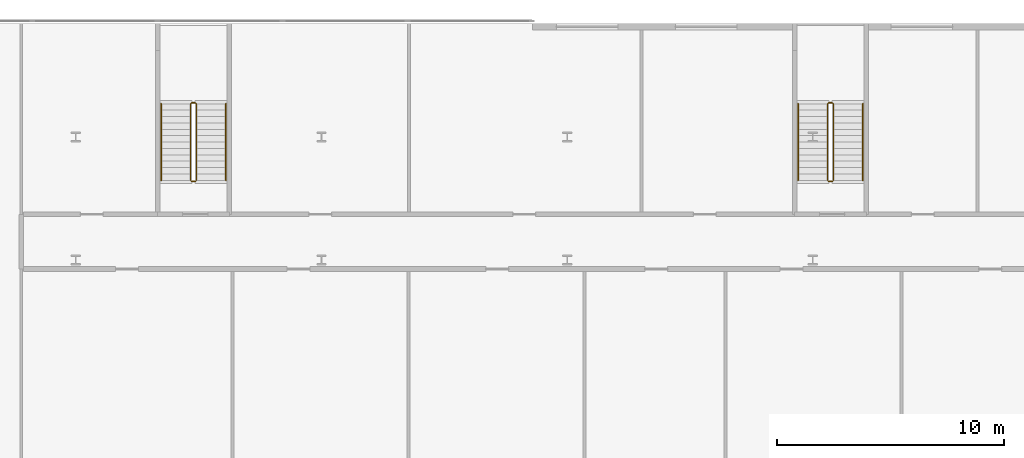
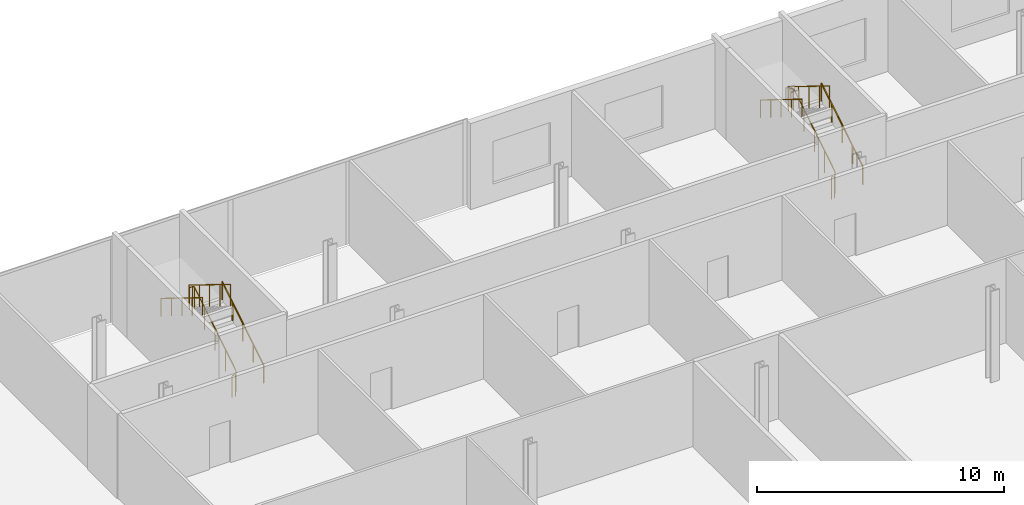
# One storey, part 46 of 47: 8 railings.
"""IFC4 building model written with IfcOpenShell, lengths in metres."""

from ifc_helpers import new_model, si_unit, direction, frame, origin, origin_2d, place, context, subcontext, project, spatial, circle, extrude, material, type_object, element, save


model = new_model("IFC4")

# Units and contexts
model_context = context("Model", 3, precision=1e-05, world=origin(), true_north=direction((0.0, 1.0)))
body_context = subcontext(model_context, "Body", "Model", "MODEL_VIEW")
ifc_project = project(units=[si_unit("LENGTHUNIT", "METRE"), si_unit("AREAUNIT", "SQUARE_METRE"), si_unit("VOLUMEUNIT", "CUBIC_METRE"), si_unit("PLANEANGLEUNIT", "RADIAN"), si_unit("MASSUNIT", "GRAM", prefix="KILO")], contexts=[model_context])

# Site, building, storey
site_placement = place(None, origin())
site = spatial("IfcSite", under=ifc_project, at=site_placement, CompositionType="ELEMENT")
building_placement = place(site_placement, origin())
building = spatial("IfcBuilding", under=site, at=building_placement, Name="Kheshtan School and Residences Tower", CompositionType="ELEMENT")
storey_placement = place(building_placement, frame((0.0, 0.0, 12.5)))
storey = spatial("IfcBuildingStorey", under=building, at=storey_placement, Name="L02", CompositionType="ELEMENT", Elevation=12.5)

# Railings
ifc_material_1 = material(Name="Stainless steel balustrade", Category="steel")
railing_type_1 = type_object("IfcRailingType", Name="Stair guard 1100", PredefinedType="GUARDRAIL", material=ifc_material_1)
railing_1_placement = place(storey_placement, frame((63.699951171875, 103.10009765625, 0.173095703125)))
element("IfcRailing", 1, at=railing_1_placement, inside=storey, type_object=railing_type_1, Name="L02 PS-062-102 stair guard 1", PredefinedType="GUARDRAIL", context=body_context, shape_type="SweptSolid", body=[
    extrude(circle(Radius=0.02392578125, at=origin_2d()), frame((0.0, 0.0, 1.076171875), z_axis=(0.0, 0.850606129759, 0.525803396734), x_axis=(-1.0, 0.0, 0.0)), (0.0, 0.0, 1.0), 3.949951171875),
    extrude(circle(Radius=0.02392578125, at=origin_2d()), frame((0.0, 3.35986328125, 3.15283203125), z_axis=(-0.707106781187, 0.707106781187, 0.0), x_axis=(-0.707106781187, -0.707106781187, 0.0)), (0.0, 0.0, 1.0), 0.07080078125),
    extrude(circle(Radius=0.02392578125, at=origin_2d()), frame((-0.050048828125, 3.409912109375, 3.15283203125), z_axis=(-1.0, 0.0, 0.0), x_axis=(0.0, -1.0, 0.0)), (0.0, 0.0, 1.0), 0.14990234375),
    extrude(circle(Radius=0.02392578125, at=origin_2d()), frame((-0.199951171875, 3.409912109375, 3.15283203125), z_axis=(-0.267629722418, -0.267629722418, 0.925607186314), x_axis=(0.707106781187, -0.707106781187, 0.0)), (0.0, 0.0, 1.0), 0.18701171875),
    extrude(circle(Radius=0.02392578125, at=origin_2d()), frame((-0.25, 3.35986328125, 3.326171875), z_axis=(0.0, -0.850606129759, 0.525803396734), x_axis=(1.0, 0.0, 0.0)), (0.0, 0.0, 1.0), 3.949951171875),
    extrude(circle(Radius=0.02099609375, at=origin_2d()), origin(), (0.0, 0.0, 1.0), 1.052001953125),
    extrude(circle(Radius=0.02099609375, at=origin_2d()), frame((0.0, 0.83984375, 0.519287109375)), (0.0, 0.0, 1.0), 1.052001953125),
    extrude(circle(Radius=0.02099609375, at=origin_2d()), frame((0.0, 1.679931640625, 1.03857421875)), (0.0, 0.0, 1.0), 1.052001953125),
    extrude(circle(Radius=0.02099609375, at=origin_2d()), frame((0.0, 2.52001953125, 1.5576171875)), (0.0, 0.0, 1.0), 1.052001953125),
    extrude(circle(Radius=0.02099609375, at=origin_2d()), frame((0.0, 3.35986328125, 2.076904296875)), (0.0, 0.0, 1.0), 1.052001953125),
    extrude(circle(Radius=0.02099609375, at=origin_2d()), frame((-0.050048828125, 3.409912109375, 2.076904296875)), (0.0, 0.0, 1.0), 1.052001953125),
    extrude(circle(Radius=0.02099609375, at=origin_2d()), frame((-0.199951171875, 3.409912109375, 2.076904296875)), (0.0, 0.0, 1.0), 1.052001953125),
    extrude(circle(Radius=0.02099609375, at=origin_2d()), frame((-0.25, 3.35986328125, 2.25)), (0.0, 0.0, 1.0), 1.052001953125),
    extrude(circle(Radius=0.02099609375, at=origin_2d()), frame((-0.25, 2.52001953125, 2.769287109375)), (0.0, 0.0, 1.0), 1.052001953125),
    extrude(circle(Radius=0.02099609375, at=origin_2d()), frame((-0.25, 1.679931640625, 3.28857421875)), (0.0, 0.0, 1.0), 1.052001953125),
    extrude(circle(Radius=0.02099609375, at=origin_2d()), frame((-0.25, 0.83984375, 3.8076171875)), (0.0, 0.0, 1.0), 1.052001953125),
    extrude(circle(Radius=0.02099609375, at=origin_2d()), frame((-0.25, 0.0, 4.326904296875)), (0.0, 0.0, 1.0), 1.052001953125),
])
railing_2_placement = place(storey_placement, frame((63.64990234375, 103.050048828125, 0.0)))
element("IfcRailing", 2, at=railing_2_placement, inside=storey, type_object=railing_type_1, Name="L02 PS-062-102 stair guard 2", PredefinedType="GUARDRAIL", context=body_context, shape_type="SweptSolid", body=[
    extrude(circle(Radius=0.02392578125, at=origin_2d()), frame((0.0, 0.0, 1.076171875), z_axis=(-1.0, 0.0, 0.0), x_axis=(0.0, -1.0, 0.0)), (0.0, 0.0, 1.0), 0.14990234375),
    extrude(circle(Radius=0.02099609375, at=origin_2d()), origin(), (0.0, 0.0, 1.0), 1.052001953125),
    extrude(circle(Radius=0.02099609375, at=origin_2d()), frame((-0.14990234375, 0.0, 0.0)), (0.0, 0.0, 1.0), 1.052001953125),
])
railing_3_placement = place(storey_placement, frame((91.699951171875, 103.10009765625, 0.173095703125)))
element("IfcRailing", 3, at=railing_3_placement, inside=storey, type_object=railing_type_1, Name="L02 PS-090-102 stair guard 1", PredefinedType="GUARDRAIL", context=body_context, shape_type="SweptSolid", body=[
    extrude(circle(Radius=0.02392578125, at=origin_2d()), frame((0.0, 0.0, 1.076171875), z_axis=(0.0, 0.850606129759, 0.525803396734), x_axis=(-1.0, 0.0, 0.0)), (0.0, 0.0, 1.0), 3.949951171875),
    extrude(circle(Radius=0.02392578125, at=origin_2d()), frame((0.0, 3.35986328125, 3.15283203125), z_axis=(-0.707106781187, 0.707106781187, 0.0), x_axis=(-0.707106781187, -0.707106781187, 0.0)), (0.0, 0.0, 1.0), 0.07080078125),
    extrude(circle(Radius=0.02392578125, at=origin_2d()), frame((-0.050048828125, 3.409912109375, 3.15283203125), z_axis=(-1.0, 0.0, 0.0), x_axis=(0.0, -1.0, 0.0)), (0.0, 0.0, 1.0), 0.14990234375),
    extrude(circle(Radius=0.02392578125, at=origin_2d()), frame((-0.199951171875, 3.409912109375, 3.15283203125), z_axis=(-0.267629722418, -0.267629722418, 0.925607186314), x_axis=(0.707106781187, -0.707106781187, 0.0)), (0.0, 0.0, 1.0), 0.18701171875),
    extrude(circle(Radius=0.02392578125, at=origin_2d()), frame((-0.25, 3.35986328125, 3.326171875), z_axis=(0.0, -0.850606129759, 0.525803396734), x_axis=(1.0, 0.0, 0.0)), (0.0, 0.0, 1.0), 3.949951171875),
    extrude(circle(Radius=0.02099609375, at=origin_2d()), origin(), (0.0, 0.0, 1.0), 1.052001953125),
    extrude(circle(Radius=0.02099609375, at=origin_2d()), frame((0.0, 0.83984375, 0.519287109375)), (0.0, 0.0, 1.0), 1.052001953125),
    extrude(circle(Radius=0.02099609375, at=origin_2d()), frame((0.0, 1.679931640625, 1.03857421875)), (0.0, 0.0, 1.0), 1.052001953125),
    extrude(circle(Radius=0.02099609375, at=origin_2d()), frame((0.0, 2.52001953125, 1.5576171875)), (0.0, 0.0, 1.0), 1.052001953125),
    extrude(circle(Radius=0.02099609375, at=origin_2d()), frame((0.0, 3.35986328125, 2.076904296875)), (0.0, 0.0, 1.0), 1.052001953125),
    extrude(circle(Radius=0.02099609375, at=origin_2d()), frame((-0.050048828125, 3.409912109375, 2.076904296875)), (0.0, 0.0, 1.0), 1.052001953125),
    extrude(circle(Radius=0.02099609375, at=origin_2d()), frame((-0.199951171875, 3.409912109375, 2.076904296875)), (0.0, 0.0, 1.0), 1.052001953125),
    extrude(circle(Radius=0.02099609375, at=origin_2d()), frame((-0.25, 3.35986328125, 2.25)), (0.0, 0.0, 1.0), 1.052001953125),
    extrude(circle(Radius=0.02099609375, at=origin_2d()), frame((-0.25, 2.52001953125, 2.769287109375)), (0.0, 0.0, 1.0), 1.052001953125),
    extrude(circle(Radius=0.02099609375, at=origin_2d()), frame((-0.25, 1.679931640625, 3.28857421875)), (0.0, 0.0, 1.0), 1.052001953125),
    extrude(circle(Radius=0.02099609375, at=origin_2d()), frame((-0.25, 0.83984375, 3.8076171875)), (0.0, 0.0, 1.0), 1.052001953125),
    extrude(circle(Radius=0.02099609375, at=origin_2d()), frame((-0.25, 0.0, 4.326904296875)), (0.0, 0.0, 1.0), 1.052001953125),
])
railing_4_placement = place(storey_placement, frame((91.64990234375, 103.050048828125, 0.0)))
element("IfcRailing", 4, at=railing_4_placement, inside=storey, type_object=railing_type_1, Name="L02 PS-090-102 stair guard 2", PredefinedType="GUARDRAIL", context=body_context, shape_type="SweptSolid", body=[
    extrude(circle(Radius=0.02392578125, at=origin_2d()), frame((0.0, 0.0, 1.076171875), z_axis=(-1.0, 0.0, 0.0), x_axis=(0.0, -1.0, 0.0)), (0.0, 0.0, 1.0), 0.14990234375),
    extrude(circle(Radius=0.02099609375, at=origin_2d()), origin(), (0.0, 0.0, 1.0), 1.052001953125),
    extrude(circle(Radius=0.02099609375, at=origin_2d()), frame((-0.14990234375, 0.0, 0.0)), (0.0, 0.0, 1.0), 1.052001953125),
])
ifc_material_2 = material(Name="Stainless steel handrail", Category="steel")
railing_type_2 = type_object("IfcRailingType", Name="Stair handrail 900", PredefinedType="HANDRAIL", material=ifc_material_2)
railing_5_placement = place(storey_placement, frame((65.0, 103.10009765625, 0.173095703125)))
element("IfcRailing", 5, at=railing_5_placement, inside=storey, type_object=railing_type_2, Name="L02 PS-062-102 stair handrail 1", PredefinedType="HANDRAIL", context=body_context, shape_type="SweptSolid", body=[
    extrude(circle(Radius=0.02392578125, at=origin_2d()), frame((0.0, 0.0, 0.8759765625), z_axis=(0.0, 0.850606129759, 0.525803396734), x_axis=(-1.0, 0.0, 0.0)), (0.0, 0.0, 1.0), 3.949951171875),
    extrude(circle(Radius=0.02099609375, at=origin_2d()), origin(), (0.0, 0.0, 1.0), 0.851806640625),
    extrude(circle(Radius=0.02099609375, at=origin_2d()), frame((0.0, 0.83984375, 0.519287109375)), (0.0, 0.0, 1.0), 0.851806640625),
    extrude(circle(Radius=0.02099609375, at=origin_2d()), frame((0.0, 1.679931640625, 1.03857421875)), (0.0, 0.0, 1.0), 0.851806640625),
    extrude(circle(Radius=0.02099609375, at=origin_2d()), frame((0.0, 2.52001953125, 1.5576171875)), (0.0, 0.0, 1.0), 0.851806640625),
    extrude(circle(Radius=0.02099609375, at=origin_2d()), frame((0.0, 3.35986328125, 2.076904296875)), (0.0, 0.0, 1.0), 0.851806640625),
])
railing_6_placement = place(storey_placement, frame((62.14990234375, 106.4599609375, 2.423095703125)))
element("IfcRailing", 6, at=railing_6_placement, inside=storey, type_object=railing_type_2, Name="L02 PS-062-102 stair handrail 2", PredefinedType="HANDRAIL", context=body_context, shape_type="SweptSolid", body=[
    extrude(circle(Radius=0.02392578125, at=origin_2d()), frame((0.0, 0.0, 0.8759765625), z_axis=(0.0, -0.850606129759, 0.525803396734), x_axis=(1.0, 0.0, 0.0)), (0.0, 0.0, 1.0), 3.949951171875),
    extrude(circle(Radius=0.02099609375, at=origin_2d()), origin(), (0.0, 0.0, 1.0), 0.851806640625),
    extrude(circle(Radius=0.02099609375, at=origin_2d()), frame((0.0, -0.83984375, 0.519287109375)), (0.0, 0.0, 1.0), 0.851806640625),
    extrude(circle(Radius=0.02099609375, at=origin_2d()), frame((0.0, -1.679931640625, 1.03857421875)), (0.0, 0.0, 1.0), 0.851806640625),
    extrude(circle(Radius=0.02099609375, at=origin_2d()), frame((0.0, -2.52001953125, 1.5576171875)), (0.0, 0.0, 1.0), 0.851806640625),
    extrude(circle(Radius=0.02099609375, at=origin_2d()), frame((0.0, -3.35986328125, 2.076904296875)), (0.0, 0.0, 1.0), 0.851806640625),
])
railing_7_placement = place(storey_placement, frame((93.0, 103.10009765625, 0.173095703125)))
element("IfcRailing", 7, at=railing_7_placement, inside=storey, type_object=railing_type_2, Name="L02 PS-090-102 stair handrail 1", PredefinedType="HANDRAIL", context=body_context, shape_type="SweptSolid", body=[
    extrude(circle(Radius=0.02392578125, at=origin_2d()), frame((0.0, 0.0, 0.8759765625), z_axis=(0.0, 0.850606129759, 0.525803396734), x_axis=(-1.0, 0.0, 0.0)), (0.0, 0.0, 1.0), 3.949951171875),
    extrude(circle(Radius=0.02099609375, at=origin_2d()), origin(), (0.0, 0.0, 1.0), 0.851806640625),
    extrude(circle(Radius=0.02099609375, at=origin_2d()), frame((0.0, 0.83984375, 0.519287109375)), (0.0, 0.0, 1.0), 0.851806640625),
    extrude(circle(Radius=0.02099609375, at=origin_2d()), frame((0.0, 1.679931640625, 1.03857421875)), (0.0, 0.0, 1.0), 0.851806640625),
    extrude(circle(Radius=0.02099609375, at=origin_2d()), frame((0.0, 2.52001953125, 1.5576171875)), (0.0, 0.0, 1.0), 0.851806640625),
    extrude(circle(Radius=0.02099609375, at=origin_2d()), frame((0.0, 3.35986328125, 2.076904296875)), (0.0, 0.0, 1.0), 0.851806640625),
])
railing_8_placement = place(storey_placement, frame((90.14990234375, 106.4599609375, 2.423095703125)))
element("IfcRailing", 8, at=railing_8_placement, inside=storey, type_object=railing_type_2, Name="L02 PS-090-102 stair handrail 2", PredefinedType="HANDRAIL", context=body_context, shape_type="SweptSolid", body=[
    extrude(circle(Radius=0.02392578125, at=origin_2d()), frame((0.0, 0.0, 0.8759765625), z_axis=(0.0, -0.850606129759, 0.525803396734), x_axis=(1.0, 0.0, 0.0)), (0.0, 0.0, 1.0), 3.949951171875),
    extrude(circle(Radius=0.02099609375, at=origin_2d()), origin(), (0.0, 0.0, 1.0), 0.851806640625),
    extrude(circle(Radius=0.02099609375, at=origin_2d()), frame((0.0, -0.83984375, 0.519287109375)), (0.0, 0.0, 1.0), 0.851806640625),
    extrude(circle(Radius=0.02099609375, at=origin_2d()), frame((0.0, -1.679931640625, 1.03857421875)), (0.0, 0.0, 1.0), 0.851806640625),
    extrude(circle(Radius=0.02099609375, at=origin_2d()), frame((0.0, -2.52001953125, 1.5576171875)), (0.0, 0.0, 1.0), 0.851806640625),
    extrude(circle(Radius=0.02099609375, at=origin_2d()), frame((0.0, -3.35986328125, 2.076904296875)), (0.0, 0.0, 1.0), 0.851806640625),
])

save(model, "model.ifc")
